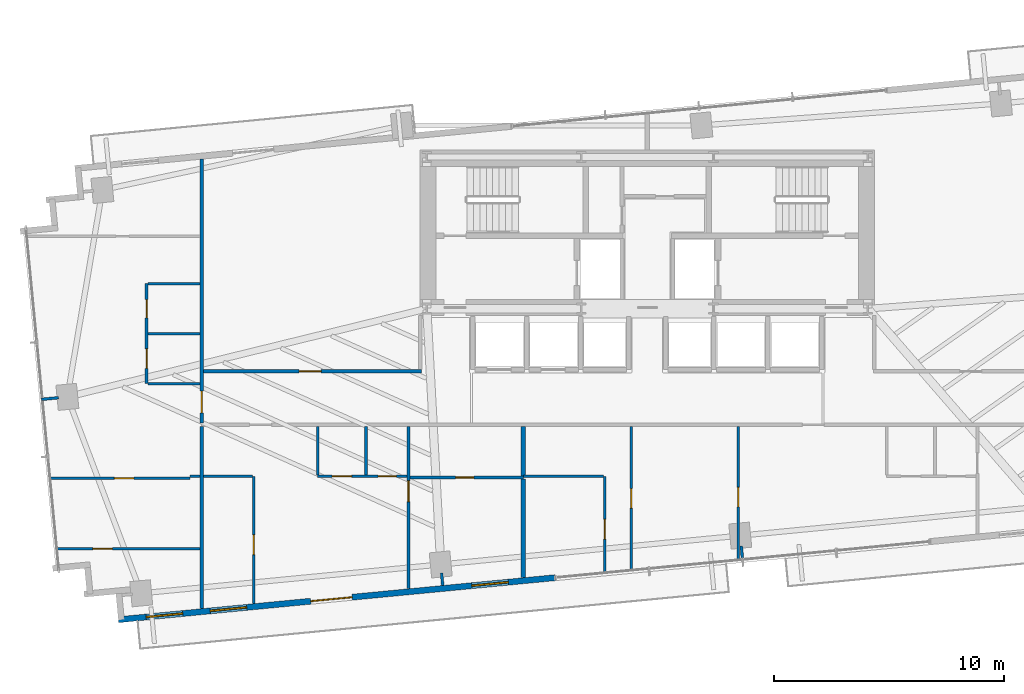
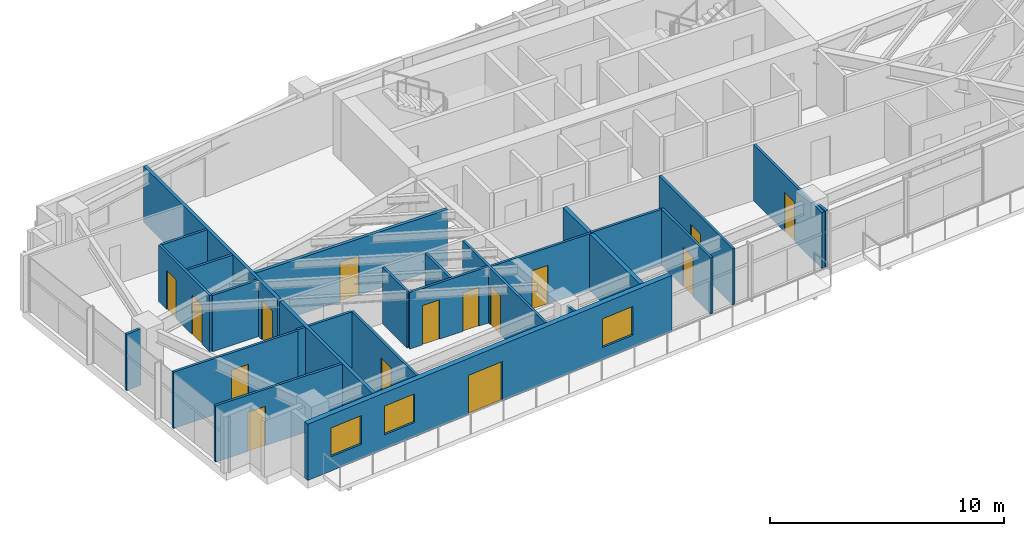
# One storey, part 19 of 25: 27 walls, 15 doors, 3 windows, 18 openings.
"""IFC4 building model written with IfcOpenShell, lengths in metres."""

from ifc_helpers import new_model, si_unit, direction, frame, frame_2d, origin, place, context, subcontext, project, spatial, rectangle, extrude, source, transform, mapped, material, layer, layer_set, type_object, type_shapes, element, fill, save


model = new_model("IFC4")

# Units and contexts
model_context = context("Model", 3, precision=1e-05, world=origin(), true_north=direction((0.0, 1.0)))
body_context = subcontext(model_context, "Body", "Model", "MODEL_VIEW")
ifc_project = project(units=[si_unit("LENGTHUNIT", "METRE"), si_unit("AREAUNIT", "SQUARE_METRE"), si_unit("VOLUMEUNIT", "CUBIC_METRE"), si_unit("PLANEANGLEUNIT", "RADIAN"), si_unit("MASSUNIT", "GRAM", prefix="KILO")], contexts=[model_context])

# Site, building, storey
site_placement = place(None, origin())
site = spatial("IfcSite", under=ifc_project, at=site_placement, CompositionType="ELEMENT")
building_placement = place(site_placement, origin())
building = spatial("IfcBuilding", under=site, at=building_placement, Name="Astriad Promenade Condominiums", CompositionType="ELEMENT")
storey_placement = place(building_placement, frame((0.0, 0.0, 77.800048828125)))
storey = spatial("IfcBuildingStorey", under=building, at=storey_placement, Name="L21", CompositionType="ELEMENT", Elevation=77.800048828125)

# Wall
ifc_material_1 = material(Name="Fire-Rated Gypsum Partition")
ifc_layer_1 = layer(ifc_material_1, 0.159912109375)
ifc_layer_set_1 = layer_set([ifc_layer_1], Name="Fire-Rated Gypsum Partition")
wall_type_1 = type_object("IfcWallType", Name="WALL-CORR-160", PredefinedType="PARTITIONING", material=ifc_layer_set_1)
wall_1_placement = place(storey_placement, frame((16.60009765625, 4.3408203125, 0.0), z_axis=(0.0, 0.0, 1.0), x_axis=(0.0, 1.0, 0.0)))
element("IfcWall", 1, at=wall_1_placement, inside=storey, type_object=wall_type_1, Name="PT-COR-W-L21", PredefinedType="PARTITIONING", context=body_context, shape_type="SweptSolid", body=[
    extrude(rectangle(XDim=7.92724609375, YDim=0.159912109375, at=frame_2d((3.963623046875, 0.0))), origin(), (0.0, 0.0, 1.0), 2.93994140625),
])

# Wall, opening, door
wall_2_placement = place(storey_placement, frame((16.60009765625, 12.431884765625, 0.0), z_axis=(0.0, 0.0, 1.0), x_axis=(0.0, 1.0, 0.0)))
wall_2 = element("IfcWall", 2, at=wall_2_placement, inside=storey, type_object=wall_type_1, Name="PT-COR-W-L21-S2", PredefinedType="PARTITIONING", context=body_context, shape_type="SweptSolid", body=[
    extrude(rectangle(XDim=11.47509765625, YDim=0.159912109375, at=frame_2d((5.737548828125, 0.0))), origin(), (0.0, 0.0, 1.0), 2.93994140625),
])
opening_1_placement = place(wall_2_placement, frame((0.428955078125, 0.0, 0.0)))
opening_1 = element("IfcOpeningElement", 3, at=opening_1_placement, cuts=wall_2, Name="Opening FD60-APT-095", PredefinedType="OPENING", context=body_context, shape_type="SweptSolid", body=[
    extrude(rectangle(XDim=0.949951171875, YDim=2.06005859375, at=frame_2d((0.47509765625, 1.030029296875))), frame((0.0, 0.08984375, 0.0), z_axis=(0.0, -1.0, 0.0), x_axis=(1.0, 0.0, 0.0)), (0.0, 0.0, 1.0), 0.179931640625),
])
ifc_material_2 = material(Name="Solid-Core Acoustic Timber Residence Entry Door", Category="wood")
door_type_1 = type_object("IfcDoorType", Name="FD60-APT-095", OperationType="NOTDEFINED", PredefinedType="DOOR", material=ifc_material_2)
shared_shape_1 = source(origin(), body_context, "Body", "SweptSolid", [
    extrude(rectangle(XDim=0.949951171875, YDim=2.06005859375, at=frame_2d((0.47509765625, 1.030029296875))), frame((0.0, 0.02490234375, 0.0), z_axis=(0.0, -1.0, 0.0), x_axis=(1.0, 0.0, 0.0)), (0.0, 0.0, 1.0), 0.050048828125),
])
type_shapes(door_type_1, [shared_shape_1])
door_1_placement = place(opening_1_placement, origin())
door_1 = element("IfcDoor", 4, at=door_1_placement, inside=storey, type_object=door_type_1, Name="D-ENT-L21-W1", OperationType="SINGLE_SWING_LEFT", OverallHeight=2.06005859375, OverallWidth=0.949951171875, PredefinedType="DOOR", context=body_context, shape_type="MappedRepresentation", body=[
    mapped(shared_shape_1, transform((0.0, 0.0, 0.0), scale=1.0)),
])
fill(opening_1, door_1)

wall_3_placement = place(storey_placement, frame((16.681884765625, 14.679931640625, 0.0), z_axis=(0.0, 0.0, 1.0), x_axis=(1.0, 0.0, 0.0)))
wall_3 = element("IfcWall", 5, at=wall_3_placement, inside=storey, type_object=wall_type_1, Name="PT-FLK-NW-L21", PredefinedType="PARTITIONING", context=body_context, shape_type="SweptSolid", body=[
    extrude(rectangle(XDim=9.47802734375, YDim=0.159912109375, at=frame_2d((4.739013671875, 0.0))), origin(), (0.0, 0.0, 1.0), 2.93994140625),
])
opening_2_placement = place(wall_3_placement, frame((4.1630859375, 0.0, 0.0)))
opening_2 = element("IfcOpeningElement", 6, at=opening_2_placement, cuts=wall_3, Name="Opening FD60-APT-095", PredefinedType="OPENING", context=body_context, shape_type="SweptSolid", body=[
    extrude(rectangle(XDim=0.949951171875, YDim=2.06005859375, at=frame_2d((0.47509765625, 1.030029296875))), frame((0.0, 0.08984375, 0.0), z_axis=(0.0, -1.0, 0.0), x_axis=(1.0, 0.0, 0.0)), (0.0, 0.0, 1.0), 0.179931640625),
])
door_2_placement = place(opening_2_placement, origin())
door_2 = element("IfcDoor", 7, at=door_2_placement, inside=storey, type_object=door_type_1, Name="D-NWA-L21", OperationType="SINGLE_SWING_LEFT", OverallHeight=2.06005859375, OverallWidth=0.949951171875, PredefinedType="DOOR", context=body_context, shape_type="MappedRepresentation", body=[
    mapped(shared_shape_1, transform((0.0, 0.0, 0.0), scale=1.0)),
])
fill(opening_2, door_2)

# Walls
ifc_material_3 = material(Name="Acoustic Double-Stud Gypsum Partition")
ifc_layer_2 = layer(ifc_material_3, 0.199951171875)
ifc_layer_set_2 = layer_set([ifc_layer_2], Name="Acoustic Double-Stud Gypsum Partition")
wall_type_2 = type_object("IfcWallType", Name="WALL-DEMISING-200", PredefinedType="PARTITIONING", material=ifc_layer_set_2)
wall_4_placement = place(storey_placement, frame((30.60107421875, 5.68896484375, 0.0), z_axis=(0.0, 0.0, 1.0), x_axis=(0.0, 1.0, 0.0)))
element("IfcWall", 8, at=wall_4_placement, inside=storey, type_object=wall_type_2, Name="PT-DEM-S1-L21", PredefinedType="PARTITIONING", context=body_context, shape_type="SweptSolid", body=[
    extrude(rectangle(XDim=4.299072265625, YDim=0.199951171875, at=frame_2d((2.1494140625, 0.0))), origin(), (0.0, 0.0, 1.0), 2.93994140625),
])
wall_5_placement = place(storey_placement, frame((30.60107421875, 10.112060546875, 0.0), z_axis=(0.0, 0.0, 1.0), x_axis=(0.0, 1.0, 0.0)))
element("IfcWall", 9, at=wall_5_placement, inside=storey, type_object=wall_type_2, Name="PT-DEM-S1-L21-S2", PredefinedType="PARTITIONING", context=body_context, shape_type="SweptSolid", body=[
    extrude(rectangle(XDim=2.156005859375, YDim=0.199951171875, at=frame_2d((1.078125, 0.0))), origin(), (0.0, 0.0, 1.0), 2.93994140625),
])

# Wall, openings, door, windows
ifc_material_4 = material(Name="Precast concrete C50/60", Category="concrete")
ifc_layer_3 = layer(ifc_material_4, 0.260009765625)
ifc_layer_set_3 = layer_set([ifc_layer_3], Name="Precast concrete C50/60")
wall_type_3 = type_object("IfcWallType", Name="WALL-EXT-TWR-260", PredefinedType="STANDARD", material=ifc_layer_set_3)
wall_6_placement = place(storey_placement, frame((31.99365234375, 5.6904296875, 0.0), z_axis=(0.0, 0.0, 1.0), x_axis=(-0.995396521236, -0.095842399342, 0.0)))
wall_6 = element("IfcWall", 10, at=wall_6_placement, inside=storey, type_object=wall_type_3, Name="W-EXT-L21-S2", PredefinedType="STANDARD", context=body_context, shape_type="SweptSolid", body=[
    extrude(rectangle(XDim=19.10986328125, YDim=0.260009765625, at=frame_2d((9.554931640625, 0.0))), origin(), (0.0, 0.0, 1.0), 2.93994140625),
])
opening_3_placement = place(wall_6_placement, frame((8.889892578125, 0.0, 0.0)))
opening_3 = element("IfcOpeningElement", 11, at=opening_3_placement, cuts=wall_6, Name="Opening BD-1822-SLD", PredefinedType="OPENING", context=body_context, shape_type="SweptSolid", body=[
    extrude(rectangle(XDim=1.800048828125, YDim=2.06005859375, at=frame_2d((0.89990234375, 1.030029296875))), frame((0.0, 0.139892578125, 0.0), z_axis=(0.0, -1.0, 0.0), x_axis=(1.0, 0.0, 0.0)), (0.0, 0.0, 1.0), 0.280029296875),
])
opening_4_placement = place(wall_6_placement, frame((2.050048828125, 0.0, 0.64990234375)))
opening_4 = element("IfcOpeningElement", 12, at=opening_4_placement, cuts=wall_6, Name="Opening WIN-TWR-1620", PredefinedType="OPENING", context=body_context, shape_type="SweptSolid", body=[
    extrude(rectangle(XDim=1.60009765625, YDim=1.5, at=frame_2d((0.800048828125, 0.75))), frame((0.0, 0.139892578125, 0.0), z_axis=(0.0, -1.0, 0.0), x_axis=(1.0, 0.0, 0.0)), (0.0, 0.0, 1.0), 0.280029296875),
])
opening_5_placement = place(wall_6_placement, frame((13.4990234375, 0.0, 0.75)))
opening_5 = element("IfcOpeningElement", 13, at=opening_5_placement, cuts=wall_6, Name="Opening WIN-TWR-1620", PredefinedType="OPENING", context=body_context, shape_type="SweptSolid", body=[
    extrude(rectangle(XDim=1.60009765625, YDim=1.5, at=frame_2d((0.800048828125, 0.75))), frame((0.0, 0.139892578125, 0.0), z_axis=(0.0, -1.0, 0.0), x_axis=(1.0, 0.0, 0.0)), (0.0, 0.0, 1.0), 0.280029296875),
])
opening_6_placement = place(wall_6_placement, frame((16.299072265625, 0.0, 0.75)))
opening_6 = element("IfcOpeningElement", 14, at=opening_6_placement, cuts=wall_6, Name="Opening WIN-TWR-1620", PredefinedType="OPENING", context=body_context, shape_type="SweptSolid", body=[
    extrude(rectangle(XDim=1.60009765625, YDim=1.5, at=frame_2d((0.800048828125, 0.75))), frame((0.0, 0.139892578125, 0.0), z_axis=(0.0, -1.0, 0.0), x_axis=(1.0, 0.0, 0.0)), (0.0, 0.0, 1.0), 0.280029296875),
])
ifc_material_5 = material(Name="Thermally Broken Aluminium Sliding Balcony Door", Category="aluminium")
door_type_2 = type_object("IfcDoorType", Name="BD-1822-SLD", OperationType="NOTDEFINED", PredefinedType="DOOR", material=ifc_material_5)
shared_shape_2 = source(origin(), body_context, "Body", "SweptSolid", [
    extrude(rectangle(XDim=1.800048828125, YDim=2.06005859375, at=frame_2d((0.89990234375, 1.030029296875))), frame((0.0, 0.02490234375, 0.0), z_axis=(0.0, -1.0, 0.0), x_axis=(1.0, 0.0, 0.0)), (0.0, 0.0, 1.0), 0.050048828125),
])
type_shapes(door_type_2, [shared_shape_2])
door_3_placement = place(opening_3_placement, origin())
door_3 = element("IfcDoor", 15, at=door_3_placement, inside=storey, type_object=door_type_2, Name="BD-L21-SW", OperationType="SLIDING_TO_LEFT", OverallHeight=2.06005859375, OverallWidth=1.800048828125, PredefinedType="DOOR", context=body_context, shape_type="MappedRepresentation", body=[
    mapped(shared_shape_2, transform((0.0, 0.0, 0.0), scale=1.0)),
])
fill(opening_3, door_3)
ifc_material_6 = material(Name="Dark Tinted Triple-Glazed Aluminium Window", Category="aluminium")
window_type = type_object("IfcWindowType", Name="WIN-TWR-1620", PartitioningType="SINGLE_PANEL", PredefinedType="WINDOW", material=ifc_material_6)
shared_shape_3 = source(origin(), body_context, "Body", "SweptSolid", [
    extrude(rectangle(XDim=1.60009765625, YDim=1.5, at=frame_2d((0.800048828125, 0.75))), frame((0.0, 0.030029296875, 0.0), z_axis=(0.0, -1.0, 0.0), x_axis=(1.0, 0.0, 0.0)), (0.0, 0.0, 1.0), 0.06005859375),
])
type_shapes(window_type, [shared_shape_3])
window_1_placement = place(opening_4_placement, origin())
window_1 = element("IfcWindow", 16, at=window_1_placement, inside=storey, type_object=window_type, Name="WIN-L21-SW", OverallHeight=1.5, OverallWidth=1.60009765625, PartitioningType="SINGLE_PANEL", PredefinedType="WINDOW", context=body_context, shape_type="MappedRepresentation", body=[
    mapped(shared_shape_3, transform((0.0, 0.0, 0.0), scale=1.0)),
])
fill(opening_4, window_1)
window_2_placement = place(opening_5_placement, origin())
window_2 = element("IfcWindow", 17, at=window_2_placement, inside=storey, type_object=window_type, Name="WIN-DW-L21-S1-EX", OverallHeight=1.5, OverallWidth=1.60009765625, PartitioningType="SINGLE_PANEL", PredefinedType="WINDOW", context=body_context, shape_type="MappedRepresentation", body=[
    mapped(shared_shape_3, transform((0.0, 0.0, 0.0), scale=1.0)),
])
fill(opening_5, window_2)
window_3_placement = place(opening_6_placement, origin())
window_3 = element("IfcWindow", 18, at=window_3_placement, inside=storey, type_object=window_type, Name="WIN-DW-L21-W1-BD2", OverallHeight=1.5, OverallWidth=1.60009765625, PartitioningType="SINGLE_PANEL", PredefinedType="WINDOW", context=body_context, shape_type="MappedRepresentation", body=[
    mapped(shared_shape_3, transform((0.0, 0.0, 0.0), scale=1.0)),
])
fill(opening_6, window_3)

# Wall, opening, door
ifc_material_7 = material(Name="Acoustic Metal-Stud Gypsum Partition")
ifc_layer_4 = layer(ifc_material_7, 0.1201171875)
ifc_layer_set_4 = layer_set([ifc_layer_4], Name="Acoustic Metal-Stud Gypsum Partition")
wall_type_4 = type_object("IfcWallType", Name="WALL-PART-120", PredefinedType="PARTITIONING", material=ifc_layer_set_4)
wall_7_placement = place(storey_placement, frame((25.60107421875, 5.20751953125, 0.0), z_axis=(0.0, 0.0, 1.0), x_axis=(0.0, 1.0, 0.0)))
wall_7 = element("IfcWall", 19, at=wall_7_placement, inside=storey, type_object=wall_type_4, Name="PT-L21-S1-BD1", PredefinedType="PARTITIONING", context=body_context, shape_type="SweptSolid", body=[
    extrude(rectangle(XDim=7.060546875, YDim=0.1201171875, at=frame_2d((3.5302734375, 0.0))), origin(), (0.0, 0.0, 1.0), 2.93994140625),
])
opening_7_placement = place(wall_7_placement, frame((3.79248046875, 0.0, 0.0)))
opening_7 = element("IfcOpeningElement", 20, at=opening_7_placement, cuts=wall_7, Name="Opening D-INT-090", PredefinedType="OPENING", context=body_context, shape_type="SweptSolid", body=[
    extrude(rectangle(XDim=0.89990234375, YDim=2.050048828125, at=frame_2d((0.449951171875, 1.02490234375))), frame((0.0, 0.070068359375, 0.0), z_axis=(0.0, -1.0, 0.0), x_axis=(1.0, 0.0, 0.0)), (0.0, 0.0, 1.0), 0.14013671875),
])
ifc_material_8 = material(Name="Painted Solid-Core Timber Bedroom Door", Category="wood")
door_type_3 = type_object("IfcDoorType", Name="D-INT-090", OperationType="NOTDEFINED", PredefinedType="DOOR", material=ifc_material_8)
shared_shape_4 = source(origin(), body_context, "Body", "SweptSolid", [
    extrude(rectangle(XDim=0.89990234375, YDim=2.050048828125, at=frame_2d((0.449951171875, 1.02490234375))), frame((0.0, 0.02490234375, 0.0), z_axis=(0.0, -1.0, 0.0), x_axis=(1.0, 0.0, 0.0)), (0.0, 0.0, 1.0), 0.050048828125),
])
type_shapes(door_type_3, [shared_shape_4])
door_4_placement = place(opening_7_placement, origin())
door_4 = element("IfcDoor", 21, at=door_4_placement, inside=storey, type_object=door_type_3, Name="D-BD1-L21-S1", OperationType="SINGLE_SWING_LEFT", OverallHeight=2.050048828125, OverallWidth=0.89990234375, PredefinedType="DOOR", context=body_context, shape_type="MappedRepresentation", body=[
    mapped(shared_shape_4, transform((0.0, 0.0, 0.0), scale=1.0)),
])
fill(opening_7, door_4)

# Wall, openings, doors
wall_8_placement = place(storey_placement, frame((21.65087890625, 10.10009765625, 0.0), z_axis=(0.0, 0.0, 1.0), x_axis=(1.0, 0.0, 0.0)))
wall_8 = element("IfcWall", 22, at=wall_8_placement, inside=storey, type_object=wall_type_4, Name="PT-L21-S1-PS", PredefinedType="PARTITIONING", context=body_context, shape_type="SweptSolid", body=[
    extrude(rectangle(XDim=3.88818359375, YDim=0.1201171875, at=frame_2d((1.944091796875, 0.0))), origin(), (0.0, 0.0, 1.0), 2.93994140625),
])
opening_8_placement = place(wall_8_placement, frame((0.625, 0.0, 0.0)))
opening_8 = element("IfcOpeningElement", 23, at=opening_8_placement, cuts=wall_8, Name="Opening D-INT-085", PredefinedType="OPENING", context=body_context, shape_type="SweptSolid", body=[
    extrude(rectangle(XDim=0.85009765625, YDim=2.050048828125, at=frame_2d((0.425048828125, 1.02490234375))), frame((0.0, 0.070068359375, 0.0), z_axis=(0.0, -1.0, 0.0), x_axis=(1.0, 0.0, 0.0)), (0.0, 0.0, 1.0), 0.14013671875),
])
opening_9_placement = place(wall_8_placement, frame((2.625, 0.0, 0.0)))
opening_9 = element("IfcOpeningElement", 24, at=opening_9_placement, cuts=wall_8, Name="Opening D-WET-080", PredefinedType="OPENING", context=body_context, shape_type="SweptSolid", body=[
    extrude(rectangle(XDim=0.800048828125, YDim=2.02001953125, at=frame_2d((0.39990234375, 1.010009765625))), frame((0.0, 0.070068359375, 0.0), z_axis=(0.0, -1.0, 0.0), x_axis=(1.0, 0.0, 0.0)), (0.0, 0.0, 1.0), 0.14013671875),
])
ifc_material_9 = material(Name="Moisture-Resistant Timber Bathroom Door", Category="wood")
door_type_4 = type_object("IfcDoorType", Name="D-WET-080", OperationType="NOTDEFINED", PredefinedType="DOOR", material=ifc_material_9)
shared_shape_5 = source(origin(), body_context, "Body", "SweptSolid", [
    extrude(rectangle(XDim=0.800048828125, YDim=2.02001953125, at=frame_2d((0.39990234375, 1.010009765625))), frame((0.0, 0.02490234375, 0.0), z_axis=(0.0, -1.0, 0.0), x_axis=(1.0, 0.0, 0.0)), (0.0, 0.0, 1.0), 0.050048828125),
])
type_shapes(door_type_4, [shared_shape_5])
door_5_placement = place(opening_9_placement, origin())
door_5 = element("IfcDoor", 25, at=door_5_placement, inside=storey, type_object=door_type_4, Name="D-BTH-L21-S1", OperationType="SINGLE_SWING_LEFT", OverallHeight=2.02001953125, OverallWidth=0.800048828125, PredefinedType="DOOR", context=body_context, shape_type="MappedRepresentation", body=[
    mapped(shared_shape_5, transform((0.0, 0.0, 0.0), scale=1.0)),
])
fill(opening_9, door_5)
ifc_material_10 = material(Name="Painted Solid-Core Timber Room Door", Category="wood")
door_type_5 = type_object("IfcDoorType", Name="D-INT-085", OperationType="NOTDEFINED", PredefinedType="DOOR", material=ifc_material_10)
shared_shape_6 = source(origin(), body_context, "Body", "SweptSolid", [
    extrude(rectangle(XDim=0.85009765625, YDim=2.050048828125, at=frame_2d((0.425048828125, 1.02490234375))), frame((0.0, 0.02490234375, 0.0), z_axis=(0.0, -1.0, 0.0), x_axis=(1.0, 0.0, 0.0)), (0.0, 0.0, 1.0), 0.050048828125),
])
type_shapes(door_type_5, [shared_shape_6])
door_6_placement = place(opening_8_placement, origin())
door_6 = element("IfcDoor", 26, at=door_6_placement, inside=storey, type_object=door_type_5, Name="D-KIT-L21-S1", OperationType="SINGLE_SWING_RIGHT", OverallHeight=2.050048828125, OverallWidth=0.85009765625, PredefinedType="DOOR", context=body_context, shape_type="MappedRepresentation", body=[
    mapped(shared_shape_6, transform((0.0, 0.0, 0.0), scale=1.0)),
])
fill(opening_8, door_6)

# Walls
for number, where, z_axis, x_axis, name in (
    (27, (23.7509765625, 10.162109375, 0.0), (0.0, 0.0, 1.0), (0.0, 1.0, 0.0), "PT-L21-S1-PBK"),
    (28, (21.65087890625, 10.162109375, 0.0), (0.0, 0.0, 1.0), (0.0, 1.0, 0.0), "PT-L21-S1-PKW"),
):
    element("IfcWall", number, at=place(storey_placement, frame(where, z_axis=z_axis, x_axis=x_axis)), inside=storey, type_object=wall_type_4, Name=name, PredefinedType="PARTITIONING", context=body_context, shape_type="SweptSolid", body=[
        extrude(rectangle(XDim=2.10595703125, YDim=0.1201171875, at=frame_2d((1.052978515625, 0.0))), origin(), (0.0, 0.0, 1.0), 2.93994140625),
    ])

# Wall, opening, door
wall_9_placement = place(storey_placement, frame((25.6630859375, 10.050048828125, 0.0), z_axis=(0.0, 0.0, 1.0), x_axis=(1.0, 0.0, 0.0)))
wall_9 = element("IfcWall", 29, at=wall_9_placement, inside=storey, type_object=wall_type_4, Name="PT-L21-S1-ENS", PredefinedType="PARTITIONING", context=body_context, shape_type="SweptSolid", body=[
    extrude(rectangle(XDim=4.93798828125, YDim=0.1201171875, at=frame_2d((2.468994140625, 0.0))), origin(), (0.0, 0.0, 1.0), 2.93994140625),
])
opening_10_placement = place(wall_9_placement, frame((1.988037109375, 0.0, 0.0)))
opening_10 = element("IfcOpeningElement", 30, at=opening_10_placement, cuts=wall_9, Name="Opening D-WET-080", PredefinedType="OPENING", context=body_context, shape_type="SweptSolid", body=[
    extrude(rectangle(XDim=0.800048828125, YDim=2.02001953125, at=frame_2d((0.39990234375, 1.010009765625))), frame((0.0, 0.070068359375, 0.0), z_axis=(0.0, -1.0, 0.0), x_axis=(1.0, 0.0, 0.0)), (0.0, 0.0, 1.0), 0.14013671875),
])
door_7_placement = place(opening_10_placement, origin())
door_7 = element("IfcDoor", 31, at=door_7_placement, inside=storey, type_object=door_type_4, Name="D-ENS-L21-S1", OperationType="SINGLE_SWING_RIGHT", OverallHeight=2.02001953125, OverallWidth=0.800048828125, PredefinedType="DOOR", context=body_context, shape_type="MappedRepresentation", body=[
    mapped(shared_shape_5, transform((0.0, 0.0, 0.0), scale=1.0)),
])
fill(opening_10, door_7)

wall_10_placement = place(storey_placement, frame((18.866943359375, 4.55908203125, 0.0), z_axis=(0.0, 0.0, 1.0), x_axis=(0.0, 1.0, 0.0)))
wall_10 = element("IfcWall", 32, at=wall_10_placement, inside=storey, type_object=wall_type_4, Name="PT-L21-S1-EXV", PredefinedType="PARTITIONING", context=body_context, shape_type="SweptSolid", body=[
    extrude(rectangle(XDim=5.541015625, YDim=0.1201171875, at=frame_2d((2.7705078125, 0.0))), origin(), (0.0, 0.0, 1.0), 2.93994140625),
])
opening_11_placement = place(wall_10_placement, frame((2.138916015625, 0.0, 0.0)))
opening_11 = element("IfcOpeningElement", 33, at=opening_11_placement, cuts=wall_10, Name="Opening D-INT-085", PredefinedType="OPENING", context=body_context, shape_type="SweptSolid", body=[
    extrude(rectangle(XDim=0.85009765625, YDim=2.050048828125, at=frame_2d((0.425048828125, 1.02490234375))), frame((0.0, 0.070068359375, 0.0), z_axis=(0.0, -1.0, 0.0), x_axis=(1.0, 0.0, 0.0)), (0.0, 0.0, 1.0), 0.14013671875),
])
door_8_placement = place(opening_11_placement, origin())
door_8 = element("IfcDoor", 34, at=door_8_placement, inside=storey, type_object=door_type_5, Name="D-EX-L21-S1", OperationType="SINGLE_SWING_LEFT", OverallHeight=2.050048828125, OverallWidth=0.85009765625, PredefinedType="DOOR", context=body_context, shape_type="MappedRepresentation", body=[
    mapped(shared_shape_6, transform((0.0, 0.0, 0.0), scale=1.0)),
])
fill(opening_11, door_8)

# Walls
wall_11_placement = place(storey_placement, frame((16.10009765625, 10.10009765625, 0.0), z_axis=(0.0, 0.0, 1.0), x_axis=(1.0, 0.0, 0.0)))
element("IfcWall", 35, at=wall_11_placement, inside=storey, type_object=wall_type_4, Name="PT-L21-S1-EXH", PredefinedType="PARTITIONING", context=body_context, shape_type="SweptSolid", body=[
    extrude(rectangle(XDim=0.41796875, YDim=0.1201171875, at=frame_2d((0.208984375, 0.0))), origin(), (0.0, 0.0, 1.0), 2.93994140625),
])
wall_12_placement = place(storey_placement, frame((16.681884765625, 10.10009765625, 0.0), z_axis=(0.0, 0.0, 1.0), x_axis=(1.0, 0.0, 0.0)))
element("IfcWall", 36, at=wall_12_placement, inside=storey, type_object=wall_type_4, Name="PT-L21-S1-EXH-S2", PredefinedType="PARTITIONING", context=body_context, shape_type="SweptSolid", body=[
    extrude(rectangle(XDim=2.123046875, YDim=0.1201171875, at=frame_2d((1.0615234375, 0.0))), origin(), (0.0, 0.0, 1.0), 2.93994140625),
])

# Wall, opening, door
wall_13_placement = place(storey_placement, frame((34.15087890625, 5.847900390625, 0.0), z_axis=(0.0, 0.0, 1.0), x_axis=(0.0, 1.0, 0.0)))
wall_13 = element("IfcWall", 37, at=wall_13_placement, inside=storey, type_object=wall_type_4, Name="PT-L21-S2-EXV", PredefinedType="PARTITIONING", context=body_context, shape_type="SweptSolid", body=[
    extrude(rectangle(XDim=4.252197265625, YDim=0.1201171875, at=frame_2d((2.1259765625, 0.0))), origin(), (0.0, 0.0, 1.0), 2.93994140625),
])
opening_12_placement = place(wall_13_placement, frame((1.525146484375, 0.0, 0.0)))
opening_12 = element("IfcOpeningElement", 38, at=opening_12_placement, cuts=wall_13, Name="Opening D-INT-085", PredefinedType="OPENING", context=body_context, shape_type="SweptSolid", body=[
    extrude(rectangle(XDim=0.85009765625, YDim=2.050048828125, at=frame_2d((0.425048828125, 1.02490234375))), frame((0.0, 0.070068359375, 0.0), z_axis=(0.0, -1.0, 0.0), x_axis=(1.0, 0.0, 0.0)), (0.0, 0.0, 1.0), 0.14013671875),
])
door_9_placement = place(opening_12_placement, origin())
door_9 = element("IfcDoor", 39, at=door_9_placement, inside=storey, type_object=door_type_5, Name="D-EX-L21-S2", OperationType="SINGLE_SWING_RIGHT", OverallHeight=2.050048828125, OverallWidth=0.85009765625, PredefinedType="DOOR", context=body_context, shape_type="MappedRepresentation", body=[
    mapped(shared_shape_6, transform((0.0, 0.0, 0.0), scale=1.0)),
])
fill(opening_12, door_9)

# Wall
wall_14_placement = place(storey_placement, frame((30.60107421875, 10.10009765625, 0.0), z_axis=(0.0, 0.0, 1.0), x_axis=(1.0, 0.0, 0.0)))
element("IfcWall", 40, at=wall_14_placement, inside=storey, type_object=wall_type_4, Name="PT-L21-S2-EXH", PredefinedType="PARTITIONING", context=body_context, shape_type="SweptSolid", body=[
    extrude(rectangle(XDim=3.488037109375, YDim=0.1201171875, at=frame_2d((1.744140625, 0.0))), origin(), (0.0, 0.0, 1.0), 2.93994140625),
])

# Wall, opening, door
wall_15_placement = place(storey_placement, frame((35.301025390625, 5.95849609375, 0.0), z_axis=(0.0, 0.0, 1.0), x_axis=(0.0, 1.0, 0.0)))
wall_15 = element("IfcWall", 41, at=wall_15_placement, inside=storey, type_object=wall_type_4, Name="PT-L21-S2-CAP1", PredefinedType="PARTITIONING", context=body_context, shape_type="SweptSolid", body=[
    extrude(rectangle(XDim=6.3095703125, YDim=0.1201171875, at=frame_2d((3.15478515625, 0.0))), origin(), (0.0, 0.0, 1.0), 2.93994140625),
])
opening_13_placement = place(wall_15_placement, frame((2.75830078125, 0.0, 0.0)))
opening_13 = element("IfcOpeningElement", 42, at=opening_13_placement, cuts=wall_15, Name="Opening D-INT-085", PredefinedType="OPENING", context=body_context, shape_type="SweptSolid", body=[
    extrude(rectangle(XDim=0.85009765625, YDim=2.050048828125, at=frame_2d((0.425048828125, 1.02490234375))), frame((0.0, 0.070068359375, 0.0), z_axis=(0.0, -1.0, 0.0), x_axis=(1.0, 0.0, 0.0)), (0.0, 0.0, 1.0), 0.14013671875),
])
door_10_placement = place(opening_13_placement, origin())
door_10 = element("IfcDoor", 43, at=door_10_placement, inside=storey, type_object=door_type_5, Name="D-CAP1-L21-S2", OperationType="SINGLE_SWING_LEFT", OverallHeight=2.050048828125, OverallWidth=0.85009765625, PredefinedType="DOOR", context=body_context, shape_type="MappedRepresentation", body=[
    mapped(shared_shape_6, transform((0.0, 0.0, 0.0), scale=1.0)),
])
fill(opening_13, door_10)

wall_16_placement = place(storey_placement, frame((39.9609375, 6.407470703125, 0.0), z_axis=(0.0, 0.0, 1.0), x_axis=(0.0, 1.0, 0.0)))
wall_16 = element("IfcWall", 44, at=wall_16_placement, inside=storey, type_object=wall_type_4, Name="PT-L21-S2-CAP2", PredefinedType="PARTITIONING", context=body_context, shape_type="SweptSolid", body=[
    extrude(rectangle(XDim=5.860595703125, YDim=0.1201171875, at=frame_2d((2.93017578125, 0.0))), origin(), (0.0, 0.0, 1.0), 2.93994140625),
])
opening_14_placement = place(wall_16_placement, frame((2.364501953125, 0.0, 0.0)))
opening_14 = element("IfcOpeningElement", 45, at=opening_14_placement, cuts=wall_16, Name="Opening D-INT-085", PredefinedType="OPENING", context=body_context, shape_type="SweptSolid", body=[
    extrude(rectangle(XDim=0.85009765625, YDim=2.050048828125, at=frame_2d((0.425048828125, 1.02490234375))), frame((0.0, 0.070068359375, 0.0), z_axis=(0.0, -1.0, 0.0), x_axis=(1.0, 0.0, 0.0)), (0.0, 0.0, 1.0), 0.14013671875),
])
door_11_placement = place(opening_14_placement, origin())
door_11 = element("IfcDoor", 46, at=door_11_placement, inside=storey, type_object=door_type_5, Name="D-CAP2-L21-S2", OperationType="SINGLE_SWING_RIGHT", OverallHeight=2.050048828125, OverallWidth=0.85009765625, PredefinedType="DOOR", context=body_context, shape_type="MappedRepresentation", body=[
    mapped(shared_shape_6, transform((0.0, 0.0, 0.0), scale=1.0)),
])
fill(opening_14, door_11)

# Wall, openings, doors
wall_17_placement = place(storey_placement, frame((14.199951171875, 14.135986328125, 0.0), z_axis=(0.0, 0.0, 1.0), x_axis=(0.0, 1.0, 0.0)))
wall_17 = element("IfcWall", 47, at=wall_17_placement, inside=storey, type_object=wall_type_4, Name="PT-L21-W1-PV", PredefinedType="PARTITIONING", context=body_context, shape_type="SweptSolid", body=[
    extrude(rectangle(XDim=4.35009765625, YDim=0.1201171875, at=frame_2d((2.175048828125, 0.0))), origin(), (0.0, 0.0, 1.0), 2.93994140625),
])
opening_15_placement = place(wall_17_placement, frame((0.662109375, 0.0, 0.0)))
opening_15 = element("IfcOpeningElement", 48, at=opening_15_placement, cuts=wall_17, Name="Opening D-INT-085", PredefinedType="OPENING", context=body_context, shape_type="SweptSolid", body=[
    extrude(rectangle(XDim=0.85009765625, YDim=2.050048828125, at=frame_2d((0.425048828125, 1.02490234375))), frame((0.0, 0.070068359375, 0.0), z_axis=(0.0, -1.0, 0.0), x_axis=(1.0, 0.0, 0.0)), (0.0, 0.0, 1.0), 0.14013671875),
])
opening_16_placement = place(wall_17_placement, frame((2.862060546875, 0.0, 0.0)))
opening_16 = element("IfcOpeningElement", 49, at=opening_16_placement, cuts=wall_17, Name="Opening D-WET-080", PredefinedType="OPENING", context=body_context, shape_type="SweptSolid", body=[
    extrude(rectangle(XDim=0.800048828125, YDim=2.02001953125, at=frame_2d((0.39990234375, 1.010009765625))), frame((0.0, 0.070068359375, 0.0), z_axis=(0.0, -1.0, 0.0), x_axis=(1.0, 0.0, 0.0)), (0.0, 0.0, 1.0), 0.14013671875),
])
door_12_placement = place(opening_16_placement, origin())
door_12 = element("IfcDoor", 50, at=door_12_placement, inside=storey, type_object=door_type_4, Name="D-BTH-L21-W1", OperationType="SINGLE_SWING_LEFT", OverallHeight=2.02001953125, OverallWidth=0.800048828125, PredefinedType="DOOR", context=body_context, shape_type="MappedRepresentation", body=[
    mapped(shared_shape_5, transform((0.0, 0.0, 0.0), scale=1.0)),
])
fill(opening_16, door_12)
door_13_placement = place(opening_15_placement, origin())
door_13 = element("IfcDoor", 51, at=door_13_placement, inside=storey, type_object=door_type_5, Name="D-KIT-L21-W1", OperationType="SINGLE_SWING_RIGHT", OverallHeight=2.050048828125, OverallWidth=0.85009765625, PredefinedType="DOOR", context=body_context, shape_type="MappedRepresentation", body=[
    mapped(shared_shape_6, transform((0.0, 0.0, 0.0), scale=1.0)),
])
fill(opening_15, door_13)

# Walls
for number, where, z_axis, x_axis, name in (
    (52, (14.261962890625, 16.31103515625, 0.0), (0.0, 0.0, 1.0), (1.0, 0.0, 0.0), "PT-L21-W1-PM"),
    (53, (14.261962890625, 14.135986328125, 0.0), (0.0, 0.0, 1.0), (1.0, 0.0, 0.0), "PT-L21-W1-PS"),
    (54, (14.261962890625, 18.486083984375, 0.0), (0.0, 0.0, 1.0), (1.0, 0.0, 0.0), "PT-L21-W1-PN"),
):
    element("IfcWall", number, at=place(storey_placement, frame(where, z_axis=z_axis, x_axis=x_axis)), inside=storey, type_object=wall_type_4, Name=name, PredefinedType="PARTITIONING", context=body_context, shape_type="SweptSolid", body=[
        extrude(rectangle(XDim=2.256103515625, YDim=0.1201171875, at=frame_2d((1.1279296875, 0.0))), origin(), (0.0, 0.0, 1.0), 2.93994140625),
    ])

# Wall, opening, door
wall_18_placement = place(storey_placement, frame((10.243408203125, 6.945068359375, 0.0), z_axis=(0.0, 0.0, 1.0), x_axis=(1.0, 0.0, 0.0)))
wall_18 = element("IfcWall", 55, at=wall_18_placement, inside=storey, type_object=wall_type_4, Name="PT-L21-W1-B2", PredefinedType="PARTITIONING", context=body_context, shape_type="SweptSolid", body=[
    extrude(rectangle(XDim=6.274658203125, YDim=0.1201171875, at=frame_2d((3.13720703125, 0.0))), origin(), (0.0, 0.0, 1.0), 2.93994140625),
])
opening_17_placement = place(wall_18_placement, frame((1.6201171875, 0.0, 0.0)))
opening_17 = element("IfcOpeningElement", 56, at=opening_17_placement, cuts=wall_18, Name="Opening D-INT-085", PredefinedType="OPENING", context=body_context, shape_type="SweptSolid", body=[
    extrude(rectangle(XDim=0.85009765625, YDim=2.050048828125, at=frame_2d((0.425048828125, 1.02490234375))), frame((0.0, 0.070068359375, 0.0), z_axis=(0.0, -1.0, 0.0), x_axis=(1.0, 0.0, 0.0)), (0.0, 0.0, 1.0), 0.14013671875),
])
door_14_placement = place(opening_17_placement, origin())
door_14 = element("IfcDoor", 57, at=door_14_placement, inside=storey, type_object=door_type_5, Name="D-BD2-L21-W1", OperationType="SINGLE_SWING_LEFT", OverallHeight=2.050048828125, OverallWidth=0.85009765625, PredefinedType="DOOR", context=body_context, shape_type="MappedRepresentation", body=[
    mapped(shared_shape_6, transform((0.0, 0.0, 0.0), scale=1.0)),
])
fill(opening_17, door_14)

wall_19_placement = place(storey_placement, frame((9.947265625, 10.02001953125, 0.0), z_axis=(0.0, 0.0, 1.0), x_axis=(1.0, 0.0, 0.0)))
wall_19 = element("IfcWall", 58, at=wall_19_placement, inside=storey, type_object=wall_type_4, Name="PT-L21-W1-WDS1", PredefinedType="PARTITIONING", context=body_context, shape_type="SweptSolid", body=[
    extrude(rectangle(XDim=6.15283203125, YDim=0.1201171875, at=frame_2d((3.076416015625, 0.0))), origin(), (0.0, 0.0, 1.0), 2.93994140625),
])
opening_18_placement = place(wall_19_placement, frame((2.853759765625, 0.0, 0.0)))
opening_18 = element("IfcOpeningElement", 59, at=opening_18_placement, cuts=wall_19, Name="Opening D-INT-085", PredefinedType="OPENING", context=body_context, shape_type="SweptSolid", body=[
    extrude(rectangle(XDim=0.85009765625, YDim=2.050048828125, at=frame_2d((0.425048828125, 1.02490234375))), frame((0.0, 0.070068359375, 0.0), z_axis=(0.0, -1.0, 0.0), x_axis=(1.0, 0.0, 0.0)), (0.0, 0.0, 1.0), 0.14013671875),
])
door_15_placement = place(opening_18_placement, origin())
door_15 = element("IfcDoor", 60, at=door_15_placement, inside=storey, type_object=door_type_5, Name="D-WDS1-L21-W1", OperationType="SINGLE_SWING_RIGHT", OverallHeight=2.050048828125, OverallWidth=0.85009765625, PredefinedType="DOOR", context=body_context, shape_type="MappedRepresentation", body=[
    mapped(shared_shape_6, transform((0.0, 0.0, 0.0), scale=1.0)),
])
fill(opening_18, door_15)

# Walls
wall_20_placement = place(storey_placement, frame((27.0419921875, 5.88671875, 0.0), z_axis=(0.0, 0.0, 1.0), x_axis=(0.096222656154, -0.995359834654, 0.0)))
element("IfcWall", 61, at=wall_20_placement, inside=storey, type_object=wall_type_4, Name="PT-PIL-L21-PC02-9", PredefinedType="PARTITIONING", context=body_context, shape_type="SweptSolid", body=[
    extrude(rectangle(XDim=0.537841796875, YDim=0.1201171875, at=frame_2d((0.26904296875, 0.0))), origin(), (0.0, 0.0, 1.0), 2.93994140625),
])
wall_21_placement = place(storey_placement, frame((40.089111328125, 7.0673828125, 0.0), z_axis=(0.0, 0.0, 1.0), x_axis=(0.095791766065, -0.995401395194, 0.0)))
element("IfcWall", 62, at=wall_21_placement, inside=storey, type_object=wall_type_4, Name="PT-PIL-L21-PC03-10", PredefinedType="PARTITIONING", context=body_context, shape_type="SweptSolid", body=[
    extrude(rectangle(XDim=0.644775390625, YDim=0.1201171875, at=frame_2d((0.322265625, 0.0))), origin(), (0.0, 0.0, 1.0), 2.93994140625),
])
wall_22_placement = place(storey_placement, frame((10.373291015625, 13.5244140625, 0.0), z_axis=(0.0, 0.0, 1.0), x_axis=(-0.995377786728, -0.096036772582, 0.0)))
element("IfcWall", 63, at=wall_22_placement, inside=storey, type_object=wall_type_4, Name="PT-PIL-L21-PC11-18", PredefinedType="PARTITIONING", context=body_context, shape_type="SweptSolid", body=[
    extrude(rectangle(XDim=0.760009765625, YDim=0.1201171875, at=frame_2d((0.3798828125, 0.0))), origin(), (0.0, 0.0, 1.0), 2.93994140625),
])

save(model, "model.ifc")
